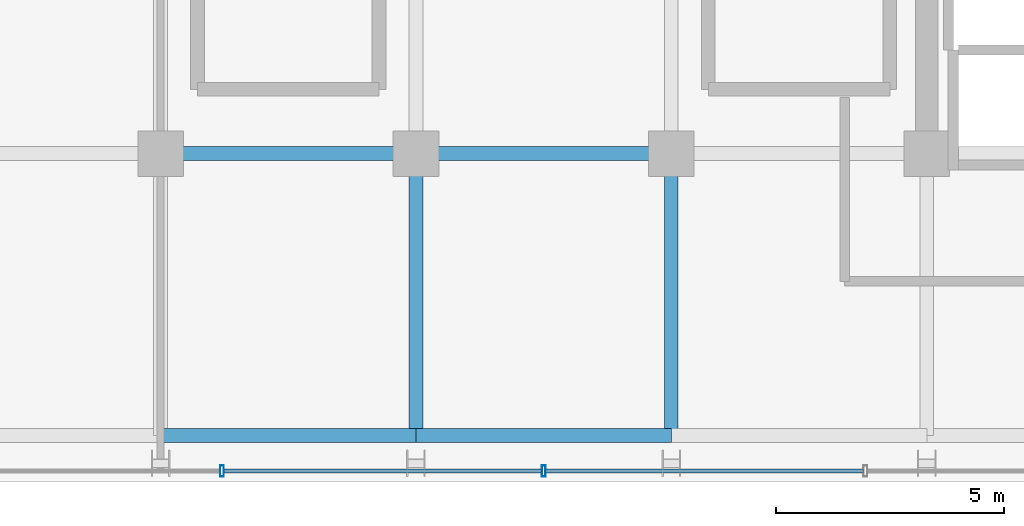
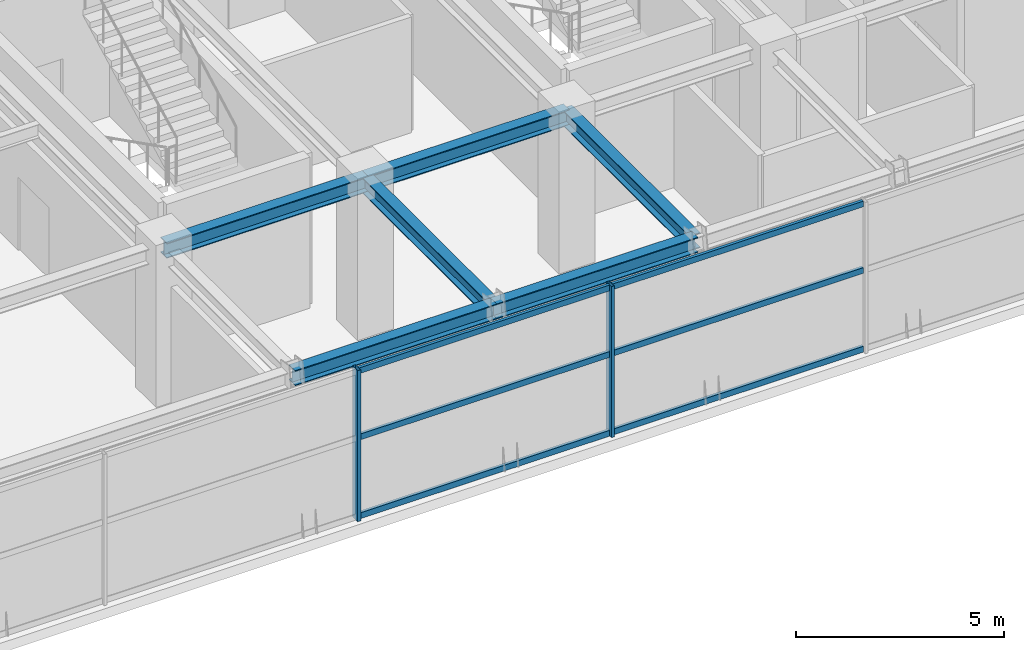
# One storey, part 4 of 28: 8 members, 6 beams, 1 element without a shape of its own.
"""IFC4 building model written with IfcOpenShell, lengths in metres."""

from ifc_helpers import new_model, si_unit, direction, frame, origin, origin_2d, place, context, subcontext, project, spatial, hollow_rectangle, i_section, extrude, source, transform, mapped, material, material_profile, profile_set, type_object, element, aggregate, save


model = new_model("IFC4")

# Units and contexts
model_context = context("Model", 3, precision=1e-05, world=origin(), true_north=direction((0.0, 1.0)))
body_context = subcontext(model_context, "Body", "Model", "MODEL_VIEW")
ifc_project = project(units=[si_unit("LENGTHUNIT", "METRE"), si_unit("AREAUNIT", "SQUARE_METRE"), si_unit("VOLUMEUNIT", "CUBIC_METRE"), si_unit("PLANEANGLEUNIT", "RADIAN"), si_unit("MASSUNIT", "GRAM", prefix="KILO")], contexts=[model_context])

# Site, building, storey
site_placement = place(None, origin())
site = spatial("IfcSite", under=ifc_project, at=site_placement, CompositionType="ELEMENT")
building_placement = place(site_placement, origin())
building = spatial("IfcBuilding", under=site, at=building_placement, Name="Nahalor Promenade Grand Hotel", CompositionType="ELEMENT")
storey_placement = place(building_placement, frame((0.0, 0.0, 256.699951171875)))
storey = spatial("IfcBuildingStorey", under=building, at=storey_placement, Name="L66", CompositionType="ELEMENT", Elevation=256.699951171875)

# Beams
ifc_material_1 = material(Name="Steel S355JR", Category="steel")
ifc_material_profile_1 = material_profile(ifc_material_1, i_section(OverallWidth=0.3, OverallDepth=0.45, WebThickness=0.014, FlangeThickness=0.026, at=origin_2d()), Name="HEB 450")
ifc_profile_set_1 = profile_set([ifc_material_profile_1], Name="Steel S355JR")
beam_type_1 = type_object("IfcBeamType", Name="Beam-Spandrel-HEB450", PredefinedType="SPANDREL", material=ifc_profile_set_1)
shared_shape_1 = source(origin(), body_context, "Body", "SweptSolid", [
    extrude(i_section(OverallWidth=0.3, OverallDepth=0.45, WebThickness=0.014, FlangeThickness=0.026, at=origin_2d()), origin(), (0.0, 0.0, 1.0), 5.599853515625),
])
beam_1_placement = place(storey_placement, frame((-8.39990234375, -23.179931640625, 4.215087890625), z_axis=(1.0, 0.0, 0.0), x_axis=(0.0, 1.0, 0.0)))
element("IfcBeam", 1, at=beam_1_placement, inside=storey, type_object=beam_type_1, Name="BM-L66-SP-S-1", PredefinedType="SPANDREL", context=body_context, shape_type="MappedRepresentation", body=[
    mapped(shared_shape_1, transform((0.0, 0.0, 0.0), scale=1.0)),
])
shared_shape_2 = source(origin(), body_context, "Body", "SweptSolid", [
    extrude(i_section(OverallWidth=0.3, OverallDepth=0.45, WebThickness=0.014, FlangeThickness=0.026, at=origin_2d()), origin(), (0.0, 0.0, 1.0), 5.60009765625),
])
beam_2_placement = place(storey_placement, frame((-2.800048828125, -23.179931640625, 4.215087890625), z_axis=(1.0, 0.0, 0.0), x_axis=(0.0, 1.0, 0.0)))
element("IfcBeam", 2, at=beam_2_placement, inside=storey, type_object=beam_type_1, Name="BM-L66-SP-S-2", PredefinedType="SPANDREL", context=body_context, shape_type="MappedRepresentation", body=[
    mapped(shared_shape_2, transform((0.0, 0.0, 0.0), scale=1.0)),
])
ifc_material_profile_2 = material_profile(ifc_material_1, i_section(OverallWidth=0.3, OverallDepth=0.45, WebThickness=0.014, FlangeThickness=0.026, at=origin_2d()), Name="HEB 450")
ifc_profile_set_2 = profile_set([ifc_material_profile_2], Name="Steel S355JR")
beam_type_2 = type_object("IfcBeamType", Name="Beam-Girder-HEB450", PredefinedType="BEAM", material=ifc_profile_set_2)
shared_shape_3 = source(origin(), body_context, "Body", "SweptSolid", [
    extrude(i_section(OverallWidth=0.3, OverallDepth=0.45, WebThickness=0.014, FlangeThickness=0.026, at=origin_2d()), origin(), (0.0, 0.0, 1.0), 5.599853515625),
])
beam_3_placement = place(storey_placement, frame((-8.39990234375, -17.0, 4.215087890625), z_axis=(1.0, 0.0, 0.0), x_axis=(0.0, 1.0, 0.0)))
element("IfcBeam", 3, at=beam_3_placement, inside=storey, type_object=beam_type_2, Name="BM-L66-GX-0-2", PredefinedType="BEAM", context=body_context, shape_type="MappedRepresentation", body=[
    mapped(shared_shape_3, transform((0.0, 0.0, 0.0), scale=1.0)),
])
shared_shape_4 = source(origin(), body_context, "Body", "SweptSolid", [
    extrude(i_section(OverallWidth=0.3, OverallDepth=0.45, WebThickness=0.014, FlangeThickness=0.026, at=origin_2d()), origin(), (0.0, 0.0, 1.0), 5.60009765625),
])
beam_4_placement = place(storey_placement, frame((-2.800048828125, -17.0, 4.215087890625), z_axis=(1.0, 0.0, 0.0), x_axis=(0.0, 1.0, 0.0)))
element("IfcBeam", 4, at=beam_4_placement, inside=storey, type_object=beam_type_2, Name="BM-L66-GX-0-3", PredefinedType="BEAM", context=body_context, shape_type="MappedRepresentation", body=[
    mapped(shared_shape_4, transform((0.0, 0.0, 0.0), scale=1.0)),
])
shared_shape_5 = source(origin(), body_context, "Body", "SweptSolid", [
    extrude(i_section(OverallWidth=0.3, OverallDepth=0.45, WebThickness=0.014, FlangeThickness=0.026, at=origin_2d()), origin(), (0.0, 0.0, 1.0), 6.179931640625),
])
for number, where, z_axis, x_axis, name in (
    (5, (-2.800048828125, -23.179931640625, 4.215087890625), (0.0, 1.0, 0.0), (-1.0, 0.0, 0.0), "BM-L66-GY-2-0"),
    (6, (2.800048828125, -23.179931640625, 4.215087890625), (0.0, 1.0, 0.0), (-1.0, 0.0, 0.0), "BM-L66-GY-3-0"),
):
    element("IfcBeam", number, at=place(storey_placement, frame(where, z_axis=z_axis, x_axis=x_axis)), inside=storey, type_object=beam_type_2, Name=name, PredefinedType="BEAM", context=body_context, shape_type="MappedRepresentation", body=[
        mapped(shared_shape_5, transform((0.0, 0.0, 0.0), scale=1.0)),
    ])

# Curtain wall, members
ifc_material_2 = material(Name="Anodised Bronze Aluminium EN AW-6063 T6", Category="aluminium")
curtain_wall_type = type_object("IfcCurtainWallType", Name="CW5 Sky-Lobby & Observation Panoramic Curtain Wall", PredefinedType="USERDEFINED", material=ifc_material_2)
curtain_wall_placement = place(storey_placement, origin())
curtain_wall = element("IfcCurtainWall", 7, at=curtain_wall_placement, inside=storey, type_object=curtain_wall_type, Name="L66 Curtain Wall CW-L66-S-1", ObjectType="UNITISED_CURTAIN_WALL", PredefinedType="USERDEFINED")
ifc_material_profile_3 = material_profile(ifc_material_2, hollow_rectangle(XDim=0.085, YDim=0.25, WallThickness=0.006, at=origin_2d()), Name="CWM 85x250x6")
ifc_profile_set_3 = profile_set([ifc_material_profile_3], Name="Anodised Bronze Aluminium EN AW-6063 T6")
member_type_1 = type_object("IfcMemberType", Name="CWM5 Panoramic Deep Mullion 85x250", PredefinedType="MULLION", material=ifc_profile_set_3)
shared_shape_6 = source(origin(), body_context, "Body", "SweptSolid", [
    extrude(hollow_rectangle(XDim=0.085, YDim=0.25, WallThickness=0.006, at=origin_2d()), origin(), (0.0, 0.0, 1.0), 4.43994140625),
])
member_1_placement = place(storey_placement, frame((-7.05322265625, -23.9599609375, 0.0), z_axis=(0.0, 0.0, 1.0), x_axis=(1.0, 0.0, 0.0)))
member_1 = element("IfcMember", 8, at=member_1_placement, type_object=member_type_1, Name="CW-L66-S-1 Mullion 2", PredefinedType="MULLION", context=body_context, shape_type="MappedRepresentation", body=[
    mapped(shared_shape_6, transform((0.0, 0.0, 0.0), scale=1.0)),
])
member_2_placement = place(storey_placement, frame((0.0, -23.9599609375, 0.0), z_axis=(0.0, 0.0, 1.0), x_axis=(1.0, 0.0, 0.0)))
member_2 = element("IfcMember", 9, at=member_2_placement, type_object=member_type_1, Name="CW-L66-S-1 Mullion 3", PredefinedType="MULLION", context=body_context, shape_type="MappedRepresentation", body=[
    mapped(shared_shape_6, transform((0.0, 0.0, 0.0), scale=1.0)),
])
ifc_material_profile_4 = material_profile(ifc_material_2, hollow_rectangle(XDim=0.085, YDim=0.17, WallThickness=0.005, at=origin_2d()), Name="CWT 85x170x5")
ifc_profile_set_4 = profile_set([ifc_material_profile_4], Name="Anodised Bronze Aluminium EN AW-6063 T6")
member_type_2 = type_object("IfcMemberType", Name="CWT5 Panoramic Transom 85x170", PredefinedType="USERDEFINED", material=ifc_profile_set_4)
shared_shape_7 = source(origin(), body_context, "Body", "SweptSolid", [
    extrude(hollow_rectangle(XDim=0.085, YDim=0.17, WallThickness=0.005, at=origin_2d()), origin(), (0.0, 0.0, 1.0), 6.96826171875),
])
member_3_placement = place(storey_placement, frame((-7.0107421875, -23.9599609375, 0.0849609375), z_axis=(1.0, 0.0, 0.0), x_axis=(0.0, 1.0, 0.0)))
member_3 = element("IfcMember", 10, at=member_3_placement, type_object=member_type_2, Name="CW-L66-S-1 Transom 2-0", ObjectType="TRANSOM", PredefinedType="USERDEFINED", context=body_context, shape_type="MappedRepresentation", body=[
    mapped(shared_shape_7, transform((0.0, 0.0, 0.0), scale=1.0)),
])
member_4_placement = place(storey_placement, frame((-7.0107421875, -23.9599609375, 2.400146484375), z_axis=(1.0, 0.0, 0.0), x_axis=(0.0, 1.0, 0.0)))
member_4 = element("IfcMember", 11, at=member_4_placement, type_object=member_type_2, Name="CW-L66-S-1 Transom 2-1", ObjectType="TRANSOM", PredefinedType="USERDEFINED", context=body_context, shape_type="MappedRepresentation", body=[
    mapped(shared_shape_7, transform((0.0, 0.0, 0.0), scale=1.0)),
])
member_5_placement = place(storey_placement, frame((-7.0107421875, -23.9599609375, 4.35498046875), z_axis=(1.0, 0.0, 0.0), x_axis=(0.0, 1.0, 0.0)))
member_5 = element("IfcMember", 12, at=member_5_placement, type_object=member_type_2, Name="CW-L66-S-1 Transom 2-2", ObjectType="TRANSOM", PredefinedType="USERDEFINED", context=body_context, shape_type="MappedRepresentation", body=[
    mapped(shared_shape_7, transform((0.0, 0.0, 0.0), scale=1.0)),
])
member_6_placement = place(storey_placement, frame((0.04248046875, -23.9599609375, 0.0849609375), z_axis=(1.0, 0.0, 0.0), x_axis=(0.0, 1.0, 0.0)))
member_6 = element("IfcMember", 13, at=member_6_placement, type_object=member_type_2, Name="CW-L66-S-1 Transom 3-0", ObjectType="TRANSOM", PredefinedType="USERDEFINED", context=body_context, shape_type="MappedRepresentation", body=[
    mapped(shared_shape_7, transform((0.0, 0.0, 0.0), scale=1.0)),
])
member_7_placement = place(storey_placement, frame((0.04248046875, -23.9599609375, 2.400146484375), z_axis=(1.0, 0.0, 0.0), x_axis=(0.0, 1.0, 0.0)))
member_7 = element("IfcMember", 14, at=member_7_placement, type_object=member_type_2, Name="CW-L66-S-1 Transom 3-1", ObjectType="TRANSOM", PredefinedType="USERDEFINED", context=body_context, shape_type="MappedRepresentation", body=[
    mapped(shared_shape_7, transform((0.0, 0.0, 0.0), scale=1.0)),
])
member_8_placement = place(storey_placement, frame((0.04248046875, -23.9599609375, 4.35498046875), z_axis=(1.0, 0.0, 0.0), x_axis=(0.0, 1.0, 0.0)))
member_8 = element("IfcMember", 15, at=member_8_placement, type_object=member_type_2, Name="CW-L66-S-1 Transom 3-2", ObjectType="TRANSOM", PredefinedType="USERDEFINED", context=body_context, shape_type="MappedRepresentation", body=[
    mapped(shared_shape_7, transform((0.0, 0.0, 0.0), scale=1.0)),
])
aggregate(curtain_wall, [member_1, member_2, member_3, member_4, member_5, member_6, member_7, member_8])

save(model, "model.ifc")
